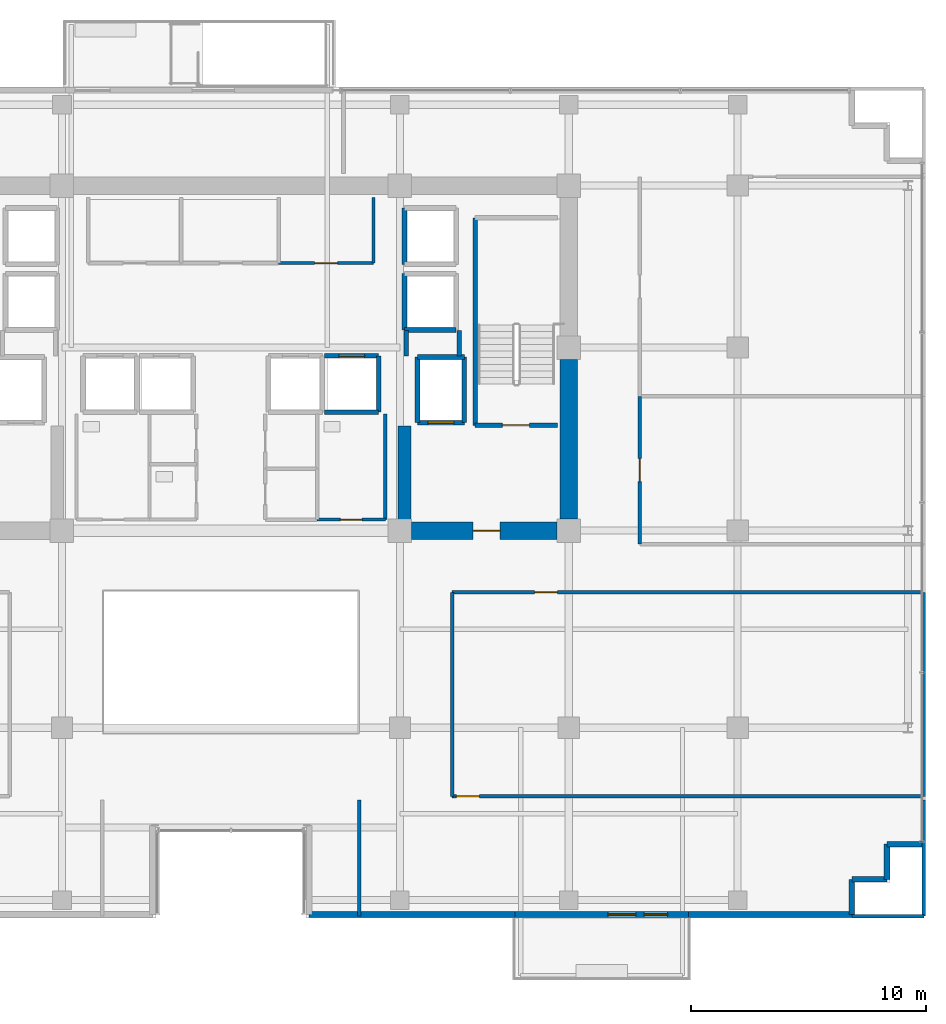
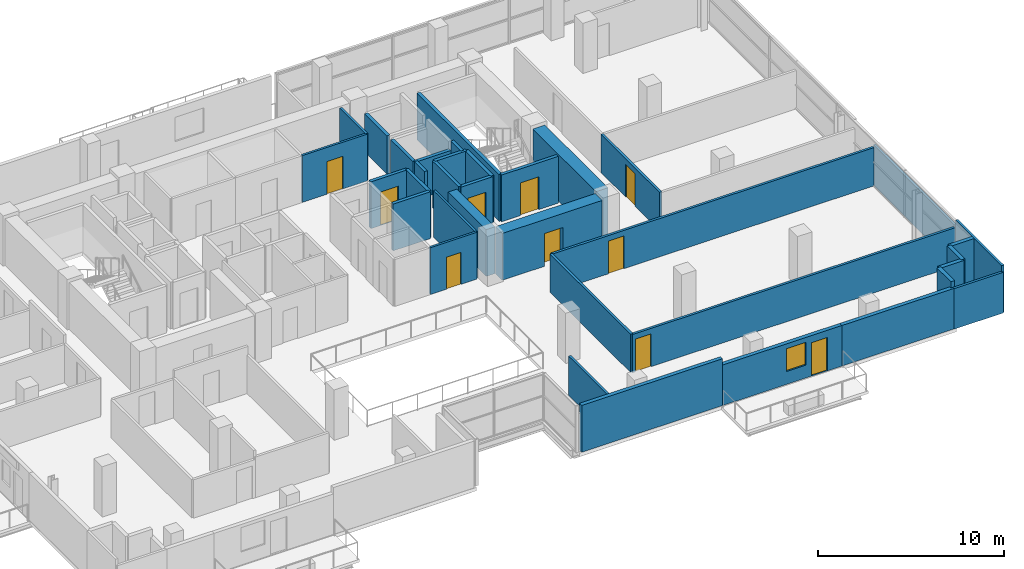
# One storey, part 17 of 23: 36 walls, 10 doors, 1 window, 11 openings.
"""IFC4 building model written with IfcOpenShell, lengths in metres."""

from ifc_helpers import new_model, si_unit, direction, frame, frame_2d, origin, place, context, subcontext, project, spatial, rectangle, extrude, source, transform, mapped, material, layer, layer_set, type_object, element, fill, save


model = new_model("IFC4")

# Units and contexts
model_context = context("Model", 3, precision=1e-05, world=origin(), true_north=direction((0.0, 1.0)))
body_context = subcontext(model_context, "Body", "Model", "MODEL_VIEW")
ifc_project = project(units=[si_unit("LENGTHUNIT", "METRE"), si_unit("AREAUNIT", "SQUARE_METRE"), si_unit("VOLUMEUNIT", "CUBIC_METRE"), si_unit("PLANEANGLEUNIT", "RADIAN"), si_unit("MASSUNIT", "GRAM", prefix="KILO")], contexts=[model_context])

# Site, building, storey
site_placement = place(None, origin())
site = spatial("IfcSite", under=ifc_project, at=site_placement, CompositionType="ELEMENT")
building_placement = place(site_placement, origin())
building = spatial("IfcBuilding", under=site, at=building_placement, Name="Zarnakvel Exchange Tower", CompositionType="ELEMENT")
storey_placement = place(building_placement, frame((0.0, 0.0, 116.5)))
storey = spatial("IfcBuildingStorey", under=building, at=storey_placement, Name="L32", CompositionType="ELEMENT", Elevation=116.5)

# Wall
ifc_material_1 = material(Name="Concrete C60/75", Category="concrete")
ifc_layer_1 = layer(ifc_material_1, 0.75)
ifc_layer_set_1 = layer_set([ifc_layer_1], Name="Concrete C60/75")
wall_type_1 = type_object("IfcWallType", Name="CW-C3", PredefinedType="SHEAR", material=ifc_layer_set_1)
wall_1_placement = place(storey_placement, frame((14.39990234375, -0.699951171875, 0.0), z_axis=(0.0, 0.0, 1.0), x_axis=(0.0, 1.0, 0.0)))
element("IfcWall", 1, at=wall_1_placement, inside=storey, type_object=wall_type_1, Name="L32 Rear Core Shear Wall E1 (CW-C3)", PredefinedType="SHEAR", context=body_context, shape_type="SweptSolid", body=[
    extrude(rectangle(XDim=6.800048828125, YDim=0.75, at=frame_2d((3.39990234375, 0.0))), origin(), (0.0, 0.0, 1.0), 3.074951171875),
])

# Wall, opening, door
wall_2_placement = place(storey_placement, frame((13.89990234375, -1.199951171875, 0.0), z_axis=(0.0, 0.0, 1.0), x_axis=(-1.0, 0.0, 0.0)))
wall_2 = element("IfcWall", 2, at=wall_2_placement, inside=storey, type_object=wall_type_1, Name="L32 Rear Core Shear Wall SE (CW-C3)", PredefinedType="SHEAR", context=body_context, shape_type="SweptSolid", body=[
    extrude(rectangle(XDim=6.199951171875, YDim=0.75, at=frame_2d((3.10009765625, 0.0))), origin(), (0.0, 0.0, 1.0), 3.074951171875),
])
opening_1_placement = place(wall_2_placement, frame((2.425048828125, 0.0, 0.0)))
opening_1 = element("IfcOpeningElement", 3, at=opening_1_placement, cuts=wall_2, Name="Opening D-L32-04", PredefinedType="OPENING", context=body_context, shape_type="SweptSolid", body=[
    extrude(rectangle(XDim=1.14990234375, YDim=2.14990234375, at=frame_2d((0.574951171875, 1.074951171875))), frame((0.0, 0.385009765625, 0.0), z_axis=(0.0, -1.0, 0.0), x_axis=(1.0, 0.0, 0.0)), (0.0, 0.0, 1.0), 0.77001953125),
])
ifc_material_2 = material(Name="Painted Galvanised Steel S355", Category="steel")
door_type_1 = type_object("IfcDoorType", Name="DT-04", OperationType="NOTDEFINED", PredefinedType="DOOR", material=ifc_material_2)
shared_shape_1 = source(origin(), body_context, "Body", "SweptSolid", [
    extrude(rectangle(XDim=1.14990234375, YDim=2.14990234375, at=frame_2d((0.574951171875, 1.074951171875))), frame((0.0, 0.02490234375, 0.0), z_axis=(0.0, -1.0, 0.0), x_axis=(1.0, 0.0, 0.0)), (0.0, 0.0, 1.0), 0.050048828125),
])
door_1_placement = place(opening_1_placement, origin())
door_1 = element("IfcDoor", 4, at=door_1_placement, inside=storey, type_object=door_type_1, Name="L32 Firefighting Lobby East Door D-L32-04", OperationType="SINGLE_SWING_RIGHT", OverallHeight=2.14990234375, OverallWidth=1.14990234375, PredefinedType="DOOR", context=body_context, shape_type="MappedRepresentation", body=[
    mapped(shared_shape_1, transform((0.0, 0.0, 0.0), x_axis=(1.0, 0.0, 0.0), y_axis=(0.0, 1.0, 0.0), z_axis=(0.0, 0.0, 1.0), scale=1.0)),
])
fill(opening_1, door_1)

# Wall
ifc_layer_2 = layer(ifc_material_1, 0.550048828125)
ifc_layer_set_2 = layer_set([ifc_layer_2], Name="Concrete C60/75")
wall_type_2 = type_object("IfcWallType", Name="CW-C4", PredefinedType="SHEAR", material=ifc_layer_set_2)
wall_3_placement = place(storey_placement, frame((7.39990234375, -0.824951171875, 0.0), z_axis=(0.0, 0.0, 1.0), x_axis=(0.0, 1.0, 0.0)))
element("IfcWall", 5, at=wall_3_placement, inside=storey, type_object=wall_type_2, Name="L32 Rear Core Shear Wall IE (CW-C4)", PredefinedType="SHEAR", context=body_context, shape_type="SweptSolid", body=[
    extrude(rectangle(XDim=4.074951171875, YDim=0.550048828125, at=frame_2d((2.03759765625, 0.0))), origin(), (0.0, 0.0, 1.0), 3.074951171875),
])

# Wall, openings, door, window
ifc_material_3 = material(Name="Precast concrete C40/50", Category="concrete")
ifc_layer_3 = layer(ifc_material_3, 0.239990234375)
ifc_layer_set_3 = layer_set([ifc_layer_3], Name="Precast concrete C40/50")
wall_type_3 = type_object("IfcWallType", Name="EW-02", PredefinedType="SOLIDWALL", material=ifc_layer_set_3)
wall_4_placement = place(storey_placement, frame((19.5, -17.56005859375, 0.0), z_axis=(0.0, 0.0, 1.0), x_axis=(-1.0, 0.0, 0.0)))
wall_4 = element("IfcWall", 6, at=wall_4_placement, inside=storey, type_object=wall_type_3, Name="L32 Exterior Precast Spandrel Wall EW-BAL-L32-SE (EW-02)", PredefinedType="SOLIDWALL", context=body_context, shape_type="SweptSolid", body=[
    extrude(rectangle(XDim=7.39990234375, YDim=0.239990234375, at=frame_2d((3.699951171875, 0.0))), origin(), (0.0, 0.0, 1.0), 2.6650390625),
])
opening_2_placement = place(wall_4_placement, frame((0.887939453125, 0.0, 0.0)))
opening_2 = element("IfcOpeningElement", 7, at=opening_2_placement, cuts=wall_4, Name="Opening BD-L32-02", PredefinedType="OPENING", context=body_context, shape_type="SweptSolid", body=[
    extrude(rectangle(XDim=1.0, YDim=2.199951171875, at=frame_2d((0.5, 1.10009765625))), frame((0.0, 0.1298828125, 0.0), z_axis=(0.0, -1.0, 0.0), x_axis=(1.0, 0.0, 0.0)), (0.0, 0.0, 1.0), 0.260009765625),
])
opening_3_placement = place(wall_4_placement, frame((2.238037109375, 0.0, 0.85009765625)))
opening_3 = element("IfcOpeningElement", 8, at=opening_3_placement, cuts=wall_4, Name="Opening WN-04", PredefinedType="OPENING", context=body_context, shape_type="SweptSolid", body=[
    extrude(rectangle(XDim=1.199951171875, YDim=1.5, at=frame_2d((0.60009765625, 0.75))), frame((0.0, 0.1298828125, 0.0), z_axis=(0.0, -1.0, 0.0), x_axis=(1.0, 0.0, 0.0)), (0.0, 0.0, 1.0), 0.260009765625),
])
ifc_material_4 = material(Name="Architectural Bronze Anodised Aluminium", Category="aluminium")
door_type_2 = type_object("IfcDoorType", Name="DT-09", OperationType="NOTDEFINED", PredefinedType="DOOR", material=ifc_material_4)
shared_shape_2 = source(origin(), body_context, "Body", "SweptSolid", [
    extrude(rectangle(XDim=1.0, YDim=2.199951171875, at=frame_2d((0.5, 1.10009765625))), frame((0.0, 0.02490234375, 0.0), z_axis=(0.0, -1.0, 0.0), x_axis=(1.0, 0.0, 0.0)), (0.0, 0.0, 1.0), 0.050048828125),
])
door_2_placement = place(opening_2_placement, origin())
door_2 = element("IfcDoor", 9, at=door_2_placement, inside=storey, type_object=door_type_2, Name="L32 Planted Loggia Balcony Door BD-L32-02", OperationType="SINGLE_SWING_LEFT", OverallHeight=2.199951171875, OverallWidth=1.0, PredefinedType="DOOR", context=body_context, shape_type="MappedRepresentation", body=[
    mapped(shared_shape_2, transform((0.0, 0.0, 0.0), x_axis=(1.0, 0.0, 0.0), y_axis=(0.0, 1.0, 0.0), z_axis=(0.0, 0.0, 1.0), scale=1.0)),
])
fill(opening_2, door_2)
ifc_material_5 = material(Name="Double Low-E Laminated Vision Glass", Category="glass")
window_type = type_object("IfcWindowType", Name="WN-04", PartitioningType="SINGLE_PANEL", PredefinedType="WINDOW", material=ifc_material_5)
shared_shape_3 = source(origin(), body_context, "Body", "SweptSolid", [
    extrude(rectangle(XDim=1.199951171875, YDim=1.5, at=frame_2d((0.60009765625, 0.75))), frame((0.0, 0.030029296875, 0.0), z_axis=(0.0, -1.0, 0.0), x_axis=(1.0, 0.0, 0.0)), (0.0, 0.0, 1.0), 0.06005859375),
])
window_placement = place(opening_3_placement, origin())
window = element("IfcWindow", 10, at=window_placement, inside=storey, type_object=window_type, Name="L32 Loggia Daylight Window (WN-04)", OverallHeight=1.5, OverallWidth=1.199951171875, PartitioningType="SINGLE_PANEL", PredefinedType="WINDOW", context=body_context, shape_type="MappedRepresentation", body=[
    mapped(shared_shape_3, transform((0.0, 0.0, 0.0), x_axis=(1.0, 0.0, 0.0), y_axis=(0.0, 1.0, 0.0), z_axis=(0.0, 0.0, 1.0), scale=1.0)),
])
fill(opening_3, window)

# Walls
for number, where, z_axis, x_axis, name in (
    (11, (27.9599609375, -14.56005859375, 0.0), (0.0, 0.0, 1.0), (1.0, 0.0, 0.0), "L32 Exterior Precast Spandrel Wall EWC-L32-13 (EW-02)"),
    (12, (27.9599609375, -16.06005859375, 0.0), (0.0, 0.0, 1.0), (0.0, 1.0, 0.0), "L32 Exterior Precast Spandrel Wall EWC-L32-14 (EW-02)"),
    (13, (26.4599609375, -16.06005859375, 0.0), (0.0, 0.0, 1.0), (1.0, 0.0, 0.0), "L32 Exterior Precast Spandrel Wall EWC-L32-15 (EW-02)"),
    (14, (26.4599609375, -17.56005859375, 0.0), (0.0, 0.0, 1.0), (0.0, 1.0, 0.0), "L32 Exterior Precast Spandrel Wall EWC-L32-16 (EW-02)"),
):
    element("IfcWall", number, at=place(storey_placement, frame(where, z_axis=z_axis, x_axis=x_axis)), inside=storey, type_object=wall_type_3, Name=name, PredefinedType="SOLIDWALL", context=body_context, shape_type="SweptSolid", body=[
        extrude(rectangle(XDim=1.5, YDim=0.239990234375, at=frame_2d((0.75, 0.0))), origin(), (0.0, 0.0, 1.0), 3.074951171875),
    ])
wall_5_placement = place(storey_placement, frame((19.5, -17.56005859375, 0.0), z_axis=(0.0, 0.0, 1.0), x_axis=(1.0, 0.0, 0.0)))
element("IfcWall", 15, at=wall_5_placement, inside=storey, type_object=wall_type_3, Name="L32 Exterior Precast Spandrel Wall EWC-L32-17 (EW-02)", PredefinedType="SOLIDWALL", context=body_context, shape_type="SweptSolid", body=[
    extrude(rectangle(XDim=6.9599609375, YDim=0.239990234375, at=frame_2d((3.47998046875, 0.0))), origin(), (0.0, 0.0, 1.0), 2.6650390625),
])
wall_6_placement = place(storey_placement, frame((3.340087890625, -17.56005859375, 0.0), z_axis=(0.0, 0.0, 1.0), x_axis=(1.0, 0.0, 0.0)))
element("IfcWall", 16, at=wall_6_placement, inside=storey, type_object=wall_type_3, Name="L32 Exterior Precast Spandrel Wall EWC-L32-18 (EW-02)", PredefinedType="SOLIDWALL", context=body_context, shape_type="SweptSolid", body=[
    extrude(rectangle(XDim=8.760009765625, YDim=0.239990234375, at=frame_2d((4.3798828125, 0.0))), origin(), (0.0, 0.0, 1.0), 3.074951171875),
])

# Wall, opening, door
ifc_material_6 = material(Name="Fire-Rated Gypsum Stud Partition", Category="gypsum")
ifc_layer_4 = layer(ifc_material_6, 0.14990234375)
ifc_layer_set_4 = layer_set([ifc_layer_4], Name="Fire-Rated Gypsum Stud Partition")
wall_type_4 = type_object("IfcWallType", Name="PT-01", PredefinedType="PARTITIONING", material=ifc_layer_set_4)
wall_7_placement = place(storey_placement, frame((29.530029296875, -12.52001953125, 0.0), z_axis=(0.0, 0.0, 1.0), x_axis=(-1.0, 0.0, 0.0)))
wall_7 = element("IfcWall", 17, at=wall_7_placement, inside=storey, type_object=wall_type_4, Name="L32 Partition Wall PWALL-L32-044 (PT-01)", PredefinedType="PARTITIONING", context=body_context, shape_type="SweptSolid", body=[
    extrude(rectangle(XDim=20.10009765625, YDim=0.14990234375, at=frame_2d((10.050048828125, 0.0))), origin(), (0.0, 0.0, 1.0), 2.514892578125),
])
opening_4_placement = place(wall_7_placement, frame((18.93994140625, 0.0, 0.0)))
opening_4 = element("IfcOpeningElement", 18, at=opening_4_placement, cuts=wall_7, Name="Opening D-L32-18", PredefinedType="OPENING", context=body_context, shape_type="SweptSolid", body=[
    extrude(rectangle(XDim=0.97998046875, YDim=2.14990234375, at=frame_2d((0.489990234375, 1.074951171875))), frame((0.0, 0.0849609375, 0.0), z_axis=(0.0, -1.0, 0.0), x_axis=(1.0, 0.0, 0.0)), (0.0, 0.0, 1.0), 0.169921875),
])
ifc_material_7 = material(Name="Timber Acoustic Veneer", Category="wood")
door_type_3 = type_object("IfcDoorType", Name="DT-05", OperationType="NOTDEFINED", PredefinedType="DOOR", material=ifc_material_7)
shared_shape_4 = source(origin(), body_context, "Body", "SweptSolid", [
    extrude(rectangle(XDim=0.97998046875, YDim=2.14990234375, at=frame_2d((0.489990234375, 1.074951171875))), frame((0.0, 0.02490234375, 0.0), z_axis=(0.0, -1.0, 0.0), x_axis=(1.0, 0.0, 0.0)), (0.0, 0.0, 1.0), 0.050048828125),
])
door_3_placement = place(opening_4_placement, origin())
door_3 = element("IfcDoor", 19, at=door_3_placement, inside=storey, type_object=door_type_3, Name="L32 Brokerage Office Door D-L32-18", OperationType="SINGLE_SWING_RIGHT", OverallHeight=2.14990234375, OverallWidth=0.97998046875, PredefinedType="DOOR", context=body_context, shape_type="MappedRepresentation", body=[
    mapped(shared_shape_4, transform((0.0, 0.0, 0.0), x_axis=(1.0, 0.0, 0.0), y_axis=(0.0, 1.0, 0.0), z_axis=(0.0, 0.0, 1.0), scale=1.0)),
])
fill(opening_4, door_3)

wall_8_placement = place(storey_placement, frame((9.429931640625, -3.830078125, 0.0), z_axis=(0.0, 0.0, 1.0), x_axis=(1.0, 0.0, 0.0)))
wall_8 = element("IfcWall", 20, at=wall_8_placement, inside=storey, type_object=wall_type_4, Name="L32 Partition Wall PWALL-L32-045 (PT-01)", PredefinedType="PARTITIONING", context=body_context, shape_type="SweptSolid", body=[
    extrude(rectangle(XDim=20.10009765625, YDim=0.14990234375, at=frame_2d((10.050048828125, 0.0))), origin(), (0.0, 0.0, 1.0), 2.514892578125),
])
opening_5_placement = place(wall_8_placement, frame((3.510009765625, 0.0, 0.0)))
opening_5 = element("IfcOpeningElement", 21, at=opening_5_placement, cuts=wall_8, Name="Opening D-L32-17", PredefinedType="OPENING", context=body_context, shape_type="SweptSolid", body=[
    extrude(rectangle(XDim=0.97998046875, YDim=2.14990234375, at=frame_2d((0.489990234375, 1.074951171875))), frame((0.0, 0.0849609375, 0.0), z_axis=(0.0, -1.0, 0.0), x_axis=(1.0, 0.0, 0.0)), (0.0, 0.0, 1.0), 0.169921875),
])
door_4_placement = place(opening_5_placement, origin())
door_4 = element("IfcDoor", 22, at=door_4_placement, inside=storey, type_object=door_type_3, Name="L32 Seminar Room Door D-L32-17", OperationType="SINGLE_SWING_LEFT", OverallHeight=2.14990234375, OverallWidth=0.97998046875, PredefinedType="DOOR", context=body_context, shape_type="MappedRepresentation", body=[
    mapped(shared_shape_4, transform((0.0, 0.0, 0.0), x_axis=(1.0, 0.0, 0.0), y_axis=(0.0, 1.0, 0.0), z_axis=(0.0, 0.0, 1.0), scale=1.0)),
])
fill(opening_5, door_4)

# Walls
wall_9_placement = place(storey_placement, frame((9.429931640625, -12.52001953125, 0.0), z_axis=(0.0, 0.0, 1.0), x_axis=(0.0, 1.0, 0.0)))
element("IfcWall", 23, at=wall_9_placement, inside=storey, type_object=wall_type_4, Name="L32 Partition Wall PWALL-L32-046 (PT-01)", PredefinedType="PARTITIONING", context=body_context, shape_type="SweptSolid", body=[
    extrude(rectangle(XDim=8.68994140625, YDim=0.14990234375, at=frame_2d((4.344970703125, 0.0))), origin(), (0.0, 0.0, 1.0), 2.514892578125),
])
wall_10_placement = place(storey_placement, frame((29.530029296875, -3.830078125, 0.0), z_axis=(0.0, 0.0, 1.0), x_axis=(0.0, -1.0, 0.0)))
element("IfcWall", 24, at=wall_10_placement, inside=storey, type_object=wall_type_4, Name="L32 Partition Wall PWALL-L32-047 (PT-01)", PredefinedType="PARTITIONING", context=body_context, shape_type="SweptSolid", body=[
    extrude(rectangle(XDim=8.68994140625, YDim=0.14990234375, at=frame_2d((4.344970703125, 0.0))), origin(), (0.0, 0.0, 1.0), 2.6650390625),
])
wall_11_placement = place(storey_placement, frame((29.530029296875, -17.6298828125, 0.0), z_axis=(0.0, 0.0, 1.0), x_axis=(-1.0, 0.0, 0.0)))
element("IfcWall", 25, at=wall_11_placement, inside=storey, type_object=wall_type_4, Name="L32 Partition Wall PWALL-L32-048 (PT-01)", PredefinedType="PARTITIONING", context=body_context, shape_type="SweptSolid", body=[
    extrude(rectangle(XDim=3.070068359375, YDim=0.14990234375, at=frame_2d((1.53515625, 0.0))), origin(), (0.0, 0.0, 1.0), 2.6650390625),
])
wall_12_placement = place(storey_placement, frame((5.47998046875, -17.6298828125, 0.0), z_axis=(0.0, 0.0, 1.0), x_axis=(0.0, 1.0, 0.0)))
element("IfcWall", 26, at=wall_12_placement, inside=storey, type_object=wall_type_4, Name="L32 Partition Wall PWALL-L32-049 (PT-01)", PredefinedType="PARTITIONING", context=body_context, shape_type="SweptSolid", body=[
    extrude(rectangle(XDim=4.949951171875, YDim=0.14990234375, at=frame_2d((2.47509765625, 0.0))), origin(), (0.0, 0.0, 1.0), 2.56494140625),
])
wall_13_placement = place(storey_placement, frame((29.530029296875, -12.679931640625, 0.0), z_axis=(0.0, 0.0, 1.0), x_axis=(0.0, -1.0, 0.0)))
element("IfcWall", 27, at=wall_13_placement, inside=storey, type_object=wall_type_4, Name="L32 Partition Wall PWALL-L32-050 (PT-01)", PredefinedType="PARTITIONING", context=body_context, shape_type="SweptSolid", body=[
    extrude(rectangle(XDim=4.949951171875, YDim=0.14990234375, at=frame_2d((2.47509765625, 0.0))), origin(), (0.0, 0.0, 1.0), 3.074951171875),
])

# Wall, opening, door
wall_14_placement = place(storey_placement, frame((17.429931640625, -1.77001953125, 0.0), z_axis=(0.0, 0.0, 1.0), x_axis=(0.0, 1.0, 0.0)))
wall_14 = element("IfcWall", 28, at=wall_14_placement, inside=storey, type_object=wall_type_4, Name="L32 Partition Wall PWALL-L32-066 (PT-01)", PredefinedType="PARTITIONING", context=body_context, shape_type="SweptSolid", body=[
    extrude(rectangle(XDim=6.2919921875, YDim=0.14990234375, at=frame_2d((3.14599609375, 0.0))), origin(), (0.0, 0.0, 1.0), 2.514892578125),
])
opening_6_placement = place(wall_14_placement, frame((2.656005859375, 0.0, 0.0)))
opening_6 = element("IfcOpeningElement", 29, at=opening_6_placement, cuts=wall_14, Name="Opening D-L32-23", PredefinedType="OPENING", context=body_context, shape_type="SweptSolid", body=[
    extrude(rectangle(XDim=0.97998046875, YDim=2.14990234375, at=frame_2d((0.489990234375, 1.074951171875))), frame((0.0, 0.0849609375, 0.0), z_axis=(0.0, -1.0, 0.0), x_axis=(1.0, 0.0, 0.0)), (0.0, 0.0, 1.0), 0.169921875),
])
door_5_placement = place(opening_6_placement, origin())
door_5 = element("IfcDoor", 30, at=door_5_placement, inside=storey, type_object=door_type_3, Name="L32 Tea Pantry Door D-L32-23", OperationType="SINGLE_SWING_LEFT", OverallHeight=2.14990234375, OverallWidth=0.97998046875, PredefinedType="DOOR", context=body_context, shape_type="MappedRepresentation", body=[
    mapped(shared_shape_4, transform((0.0, 0.0, 0.0), x_axis=(1.0, 0.0, 0.0), y_axis=(0.0, 1.0, 0.0), z_axis=(0.0, 0.0, 1.0), scale=1.0)),
])
fill(opening_6, door_5)

# Walls
ifc_layer_5 = layer(ifc_material_6, 0.179931640625)
ifc_layer_set_5 = layer_set([ifc_layer_5], Name="Fire-Rated Gypsum Stud Partition")
wall_type_5 = type_object("IfcWallType", Name="PT-02", PredefinedType="PARTITIONING", material=ifc_layer_set_5)
wall_15_placement = place(storey_placement, frame((7.469970703125, 6.239990234375, 0.0), z_axis=(0.0, 0.0, 1.0), x_axis=(0.0, 1.0, 0.0)))
element("IfcWall", 31, at=wall_15_placement, inside=storey, type_object=wall_type_5, Name="L32 Partition Wall PWALL-L32-009 (PT-02)", PredefinedType="PARTITIONING", context=body_context, shape_type="SweptSolid", body=[
    extrude(rectangle(XDim=1.090087890625, YDim=0.179931640625, at=frame_2d((0.544921875, 0.0))), origin(), (0.0, 0.0, 1.0), 2.514892578125),
])
wall_16_placement = place(storey_placement, frame((9.72998046875, 7.330078125, 0.0), z_axis=(0.0, 0.0, 1.0), x_axis=(0.0, -1.0, 0.0)))
element("IfcWall", 32, at=wall_16_placement, inside=storey, type_object=wall_type_5, Name="L32 Partition Wall PWALL-L32-010 (PT-02)", PredefinedType="PARTITIONING", context=body_context, shape_type="SweptSolid", body=[
    extrude(rectangle(XDim=1.090087890625, YDim=0.179931640625, at=frame_2d((0.544921875, 0.0))), origin(), (0.0, 0.0, 1.0), 3.074951171875),
])

# Wall, opening, door
ifc_material_8 = material(Name="Moisture-Resistant Tile-Faced Partition", Category="gypsum")
ifc_layer_6 = layer(ifc_material_8, 0.135009765625)
ifc_layer_set_6 = layer_set([ifc_layer_6], Name="Moisture-Resistant Tile-Faced Partition")
wall_type_6 = type_object("IfcWallType", Name="PT-03", PredefinedType="PARTITIONING", material=ifc_layer_set_6)
wall_17_placement = place(storey_placement, frame((6.080078125, 10.199951171875, 0.0), z_axis=(0.0, 0.0, 1.0), x_axis=(-1.0, 0.0, 0.0)))
wall_17 = element("IfcWall", 33, at=wall_17_placement, inside=storey, type_object=wall_type_6, Name="L32 Partition Wall PWALL-L32-016 (PT-03)", PredefinedType="PARTITIONING", context=body_context, shape_type="SweptSolid", body=[
    extrude(rectangle(XDim=4.0400390625, YDim=0.135009765625, at=frame_2d((2.02001953125, 0.0))), origin(), (0.0, 0.0, 1.0), 3.074951171875),
])
opening_7_placement = place(wall_17_placement, frame((1.530029296875, 0.0, 0.0)))
opening_7 = element("IfcOpeningElement", 34, at=opening_7_placement, cuts=wall_17, Name="Opening D-L32-07", PredefinedType="OPENING", context=body_context, shape_type="SweptSolid", body=[
    extrude(rectangle(XDim=0.97998046875, YDim=2.14990234375, at=frame_2d((0.489990234375, 1.074951171875))), frame((0.0, 0.077392578125, 0.0), z_axis=(0.0, -1.0, 0.0), x_axis=(1.0, 0.0, 0.0)), (0.0, 0.0, 1.0), 0.155029296875),
])
door_6_placement = place(opening_7_placement, origin())
door_6 = element("IfcDoor", 35, at=door_6_placement, inside=storey, type_object=door_type_3, Name="L32 Executive Tea Pantry Door D-L32-07", OperationType="SINGLE_SWING_LEFT", OverallHeight=2.14990234375, OverallWidth=0.97998046875, PredefinedType="DOOR", context=body_context, shape_type="MappedRepresentation", body=[
    mapped(shared_shape_4, transform((0.0, 0.0, 0.0), x_axis=(1.0, 0.0, 0.0), y_axis=(0.0, 1.0, 0.0), z_axis=(0.0, 0.0, 1.0), scale=1.0)),
])
fill(opening_7, door_6)

# Wall
wall_18_placement = place(storey_placement, frame((6.080078125, 13.0, 0.0), z_axis=(0.0, 0.0, 1.0), x_axis=(0.0, -1.0, 0.0)))
element("IfcWall", 36, at=wall_18_placement, inside=storey, type_object=wall_type_6, Name="L32 Partition Wall PWALL-L32-017 (PT-03)", PredefinedType="PARTITIONING", context=body_context, shape_type="SweptSolid", body=[
    extrude(rectangle(XDim=2.800048828125, YDim=0.135009765625, at=frame_2d((1.39990234375, 0.0))), origin(), (0.0, 0.0, 1.0), 3.074951171875),
])

# Wall, opening, door
wall_19_placement = place(storey_placement, frame((6.580078125, -0.72998046875, 0.0), z_axis=(0.0, 0.0, 1.0), x_axis=(-1.0, 0.0, 0.0)))
wall_19 = element("IfcWall", 37, at=wall_19_placement, inside=storey, type_object=wall_type_6, Name="L32 Partition Wall PWALL-L32-031 (PT-03)", PredefinedType="PARTITIONING", context=body_context, shape_type="SweptSolid", body=[
    extrude(rectangle(XDim=2.900146484375, YDim=0.135009765625, at=frame_2d((1.4501953125, 0.0))), origin(), (0.0, 0.0, 1.0), 3.074951171875),
])
opening_8_placement = place(wall_19_placement, frame((0.989990234375, 0.0, 0.0)))
opening_8 = element("IfcOpeningElement", 38, at=opening_8_placement, cuts=wall_19, Name="Opening D-L32-13", PredefinedType="OPENING", context=body_context, shape_type="SweptSolid", body=[
    extrude(rectangle(XDim=0.919921875, YDim=2.10009765625, at=frame_2d((0.4599609375, 1.050048828125))), frame((0.0, 0.077392578125, 0.0), z_axis=(0.0, -1.0, 0.0), x_axis=(1.0, 0.0, 0.0)), (0.0, 0.0, 1.0), 0.155029296875),
])
ifc_material_9 = material(Name="Moisture-Resistant Laminate Timber", Category="wood")
door_type_4 = type_object("IfcDoorType", Name="DT-07", OperationType="NOTDEFINED", PredefinedType="DOOR", material=ifc_material_9)
shared_shape_5 = source(origin(), body_context, "Body", "SweptSolid", [
    extrude(rectangle(XDim=0.919921875, YDim=2.10009765625, at=frame_2d((0.4599609375, 1.050048828125))), frame((0.0, 0.02490234375, 0.0), z_axis=(0.0, -1.0, 0.0), x_axis=(1.0, 0.0, 0.0)), (0.0, 0.0, 1.0), 0.050048828125),
])
door_7_placement = place(opening_8_placement, origin())
door_7 = element("IfcDoor", 39, at=door_7_placement, inside=storey, type_object=door_type_4, Name="L32 Female Toilet Door D-L32-13", OperationType="SINGLE_SWING_LEFT", OverallHeight=2.10009765625, OverallWidth=0.919921875, PredefinedType="DOOR", context=body_context, shape_type="MappedRepresentation", body=[
    mapped(shared_shape_5, transform((0.0, 0.0, 0.0), x_axis=(1.0, 0.0, 0.0), y_axis=(0.0, 1.0, 0.0), z_axis=(0.0, 0.0, 1.0), scale=1.0)),
])
fill(opening_8, door_7)

# Wall
wall_20_placement = place(storey_placement, frame((6.580078125, 3.760009765625, 0.0), z_axis=(0.0, 0.0, 1.0), x_axis=(0.0, -1.0, 0.0)))
element("IfcWall", 40, at=wall_20_placement, inside=storey, type_object=wall_type_6, Name="L32 Partition Wall PWALL-L32-032 (PT-03)", PredefinedType="PARTITIONING", context=body_context, shape_type="SweptSolid", body=[
    extrude(rectangle(XDim=4.489990234375, YDim=0.135009765625, at=frame_2d((2.2451171875, 0.0))), origin(), (0.0, 0.0, 1.0), 3.074951171875),
])

# Wall, opening, door
ifc_material_10 = material(Name="Concrete C40/50", Category="concrete")
ifc_layer_7 = layer(ifc_material_10, 0.199951171875)
ifc_layer_set_7 = layer_set([ifc_layer_7], Name="Concrete C40/50")
wall_type_7 = type_object("IfcWallType", Name="SW-01", PredefinedType="SOLIDWALL", material=ifc_layer_set_7)
wall_21_placement = place(storey_placement, frame((9.949951171875, 3.39990234375, 0.0), z_axis=(0.0, 0.0, 1.0), x_axis=(-1.0, 0.0, 0.0)))
wall_21 = element("IfcWall", 41, at=wall_21_placement, inside=storey, type_object=wall_type_7, Name="L32 FL-02 Hoistway Wall South", PredefinedType="SOLIDWALL", context=body_context, shape_type="SweptSolid", body=[
    extrude(rectangle(XDim=2.0, YDim=0.199951171875, at=frame_2d((1.0, 0.0))), origin(), (0.0, 0.0, 1.0), 3.074951171875),
])
opening_9_placement = place(wall_21_placement, frame((0.449951171875, 0.0, 0.0)))
opening_9 = element("IfcOpeningElement", 42, at=opening_9_placement, cuts=wall_21, Name="Opening LD-FL-02-L32", PredefinedType="OPENING", context=body_context, shape_type="SweptSolid", body=[
    extrude(rectangle(XDim=1.10009765625, YDim=2.199951171875, at=frame_2d((0.550048828125, 1.10009765625))), frame((0.0, 0.10986328125, 0.0), z_axis=(0.0, -1.0, 0.0), x_axis=(1.0, 0.0, 0.0)), (0.0, 0.0, 1.0), 0.219970703125),
])
ifc_material_11 = material(Name="Brushed Stainless Steel", Category="steel")
door_type_5 = type_object("IfcDoorType", Name="LDT-01", OperationType="NOTDEFINED", PredefinedType="DOOR", material=ifc_material_11)
shared_shape_6 = source(origin(), body_context, "Body", "SweptSolid", [
    extrude(rectangle(XDim=1.10009765625, YDim=2.199951171875, at=frame_2d((0.550048828125, 1.10009765625))), frame((0.0, 0.02490234375, 0.0), z_axis=(0.0, -1.0, 0.0), x_axis=(1.0, 0.0, 0.0)), (0.0, 0.0, 1.0), 0.050048828125),
])
door_8_placement = place(opening_9_placement, origin())
door_8 = element("IfcDoor", 43, at=door_8_placement, inside=storey, type_object=door_type_5, Name="L32 FL-02 Lift Landing Door LD-FL-02-L32", OperationType="DOUBLE_DOOR_SLIDING", OverallHeight=2.199951171875, OverallWidth=1.10009765625, PredefinedType="DOOR", context=body_context, shape_type="MappedRepresentation", body=[
    mapped(shared_shape_6, transform((0.0, 0.0, 0.0), x_axis=(1.0, 0.0, 0.0), y_axis=(0.0, 1.0, 0.0), z_axis=(0.0, 0.0, 1.0), scale=1.0)),
])
fill(opening_9, door_8)

# Walls
wall_22_placement = place(storey_placement, frame((7.949951171875, 6.199951171875, 0.0), z_axis=(0.0, 0.0, 1.0), x_axis=(1.0, 0.0, 0.0)))
element("IfcWall", 44, at=wall_22_placement, inside=storey, type_object=wall_type_7, Name="L32 FL-02 Hoistway Wall North", PredefinedType="SOLIDWALL", context=body_context, shape_type="SweptSolid", body=[
    extrude(rectangle(XDim=2.0, YDim=0.199951171875, at=frame_2d((1.0, 0.0))), origin(), (0.0, 0.0, 1.0), 3.074951171875),
])
for number, where, z_axis, x_axis, name in (
    (45, (7.949951171875, 3.39990234375, 0.0), (0.0, 0.0, 1.0), (0.0, 1.0, 0.0), "L32 FL-02 Hoistway Wall West"),
    (46, (9.949951171875, 6.199951171875, 0.0), (0.0, 0.0, 1.0), (0.0, -1.0, 0.0), "L32 FL-02 Hoistway Wall East"),
):
    element("IfcWall", number, at=place(storey_placement, frame(where, z_axis=z_axis, x_axis=x_axis)), inside=storey, type_object=wall_type_7, Name=name, PredefinedType="SOLIDWALL", context=body_context, shape_type="SweptSolid", body=[
        extrude(rectangle(XDim=2.800048828125, YDim=0.199951171875, at=frame_2d((1.39990234375, 0.0))), origin(), (0.0, 0.0, 1.0), 3.074951171875),
    ])
wall_23_placement = place(storey_placement, frame((6.300048828125, 3.85009765625, 0.0), z_axis=(0.0, 0.0, 1.0), x_axis=(-1.0, 0.0, 0.0)))
element("IfcWall", 47, at=wall_23_placement, inside=storey, type_object=wall_type_7, Name="L32 PL-08 Hoistway Wall South", PredefinedType="SOLIDWALL", context=body_context, shape_type="SweptSolid", body=[
    extrude(rectangle(XDim=2.300048828125, YDim=0.199951171875, at=frame_2d((1.14990234375, 0.0))), origin(), (0.0, 0.0, 1.0), 3.074951171875),
])

# Wall, opening, door
wall_24_placement = place(storey_placement, frame((4.0, 6.25, 0.0), z_axis=(0.0, 0.0, 1.0), x_axis=(1.0, 0.0, 0.0)))
wall_24 = element("IfcWall", 48, at=wall_24_placement, inside=storey, type_object=wall_type_7, Name="L32 PL-08 Hoistway Wall North", PredefinedType="SOLIDWALL", context=body_context, shape_type="SweptSolid", body=[
    extrude(rectangle(XDim=2.300048828125, YDim=0.199951171875, at=frame_2d((1.14990234375, 0.0))), origin(), (0.0, 0.0, 1.0), 3.074951171875),
])
opening_10_placement = place(wall_24_placement, frame((0.60009765625, 0.0, 0.0)))
opening_10 = element("IfcOpeningElement", 49, at=opening_10_placement, cuts=wall_24, Name="Opening LD-PL-08-L32", PredefinedType="OPENING", context=body_context, shape_type="SweptSolid", body=[
    extrude(rectangle(XDim=1.10009765625, YDim=2.199951171875, at=frame_2d((0.550048828125, 1.10009765625))), frame((0.0, 0.10986328125, 0.0), z_axis=(0.0, -1.0, 0.0), x_axis=(1.0, 0.0, 0.0)), (0.0, 0.0, 1.0), 0.219970703125),
])
door_type_6 = type_object("IfcDoorType", Name="LDT-02", OperationType="NOTDEFINED", PredefinedType="DOOR", material=ifc_material_4)
door_9_placement = place(opening_10_placement, origin())
door_9 = element("IfcDoor", 50, at=door_9_placement, inside=storey, type_object=door_type_6, Name="L32 PL-08 Lift Landing Door LD-PL-08-L32", OperationType="DOUBLE_DOOR_SLIDING", OverallHeight=2.199951171875, OverallWidth=1.10009765625, PredefinedType="DOOR", context=body_context, shape_type="MappedRepresentation", body=[
    mapped(shared_shape_6, transform((0.0, 0.0, 0.0), x_axis=(1.0, 0.0, 0.0), y_axis=(0.0, 1.0, 0.0), z_axis=(0.0, 0.0, 1.0), scale=1.0)),
])
fill(opening_10, door_9)

# Walls
wall_25_placement = place(storey_placement, frame((6.300048828125, 6.25, 0.0), z_axis=(0.0, 0.0, 1.0), x_axis=(0.0, -1.0, 0.0)))
element("IfcWall", 51, at=wall_25_placement, inside=storey, type_object=wall_type_7, Name="L32 PL-08 Hoistway Wall East", PredefinedType="SOLIDWALL", context=body_context, shape_type="SweptSolid", body=[
    extrude(rectangle(XDim=2.39990234375, YDim=0.199951171875, at=frame_2d((1.199951171875, 0.0))), origin(), (0.0, 0.0, 1.0), 3.074951171875),
])
wall_26_placement = place(storey_placement, frame((9.60009765625, 7.35009765625, 0.0), z_axis=(0.0, 0.0, 1.0), x_axis=(-1.0, 0.0, 0.0)))
element("IfcWall", 52, at=wall_26_placement, inside=storey, type_object=wall_type_7, Name="L32 PL-11 Hoistway Wall South", PredefinedType="SOLIDWALL", context=body_context, shape_type="SweptSolid", body=[
    extrude(rectangle(XDim=2.2001953125, YDim=0.199951171875, at=frame_2d((1.10009765625, 0.0))), origin(), (0.0, 0.0, 1.0), 2.514892578125),
])
wall_27_placement = place(storey_placement, frame((7.39990234375, 7.35009765625, 0.0), z_axis=(0.0, 0.0, 1.0), x_axis=(0.0, 1.0, 0.0)))
element("IfcWall", 53, at=wall_27_placement, inside=storey, type_object=wall_type_7, Name="L32 PL-11 Hoistway Wall West", PredefinedType="SOLIDWALL", context=body_context, shape_type="SweptSolid", body=[
    extrude(rectangle(XDim=2.39990234375, YDim=0.199951171875, at=frame_2d((1.199951171875, 0.0))), origin(), (0.0, 0.0, 1.0), 2.514892578125),
])
wall_28_placement = place(storey_placement, frame((7.39990234375, 10.14990234375, 0.0), z_axis=(0.0, 0.0, 1.0), x_axis=(0.0, 1.0, 0.0)))
element("IfcWall", 54, at=wall_28_placement, inside=storey, type_object=wall_type_7, Name="L32 PL-12 Hoistway Wall West", PredefinedType="SOLIDWALL", context=body_context, shape_type="SweptSolid", body=[
    extrude(rectangle(XDim=2.400146484375, YDim=0.199951171875, at=frame_2d((1.2001953125, 0.0))), origin(), (0.0, 0.0, 1.0), 2.514892578125),
])

# Wall, opening, door
ifc_layer_8 = layer(ifc_material_10, 0.199951171875)
ifc_layer_set_8 = layer_set([ifc_layer_8], Name="Concrete C40/50")
wall_type_8 = type_object("IfcWallType", Name="SW-02", PredefinedType="SOLIDWALL", material=ifc_layer_set_8)
wall_29_placement = place(storey_placement, frame((13.929931640625, 3.2900390625, 0.0), z_axis=(0.0, 0.0, 1.0), x_axis=(-1.0, 0.0, 0.0)))
wall_29 = element("IfcWall", 55, at=wall_29_placement, inside=storey, type_object=wall_type_8, Name="L32 Stairwell Core Wall PWALL-L32-004 (SW-02)", PredefinedType="SOLIDWALL", context=body_context, shape_type="SweptSolid", body=[
    extrude(rectangle(XDim=3.52001953125, YDim=0.199951171875, at=frame_2d((1.760009765625, 0.0))), origin(), (0.0, 0.0, 1.0), 3.074951171875),
])
opening_11_placement = place(wall_29_placement, frame((1.205078125, 0.0, 0.0)))
opening_11 = element("IfcOpeningElement", 56, at=opening_11_placement, cuts=wall_29, Name="Opening D-L32-02", PredefinedType="OPENING", context=body_context, shape_type="SweptSolid", body=[
    extrude(rectangle(XDim=1.14990234375, YDim=2.14990234375, at=frame_2d((0.574951171875, 1.074951171875))), frame((0.0, 0.10986328125, 0.0), z_axis=(0.0, -1.0, 0.0), x_axis=(1.0, 0.0, 0.0)), (0.0, 0.0, 1.0), 0.219970703125),
])
door_10_placement = place(opening_11_placement, origin())
door_10 = element("IfcDoor", 57, at=door_10_placement, inside=storey, type_object=door_type_1, Name="L32 Stairwell ST-02 Door D-L32-02", OperationType="SINGLE_SWING_RIGHT", OverallHeight=2.14990234375, OverallWidth=1.14990234375, PredefinedType="DOOR", context=body_context, shape_type="MappedRepresentation", body=[
    mapped(shared_shape_1, transform((0.0, 0.0, 0.0), x_axis=(1.0, 0.0, 0.0), y_axis=(0.0, 1.0, 0.0), z_axis=(0.0, 0.0, 1.0), scale=1.0)),
])
fill(opening_11, door_10)

# Wall
wall_30_placement = place(storey_placement, frame((10.409912109375, 3.2900390625, 0.0), z_axis=(0.0, 0.0, 1.0), x_axis=(0.0, 1.0, 0.0)))
element("IfcWall", 58, at=wall_30_placement, inside=storey, type_object=wall_type_8, Name="L32 Stairwell Core Wall PWALL-L32-006 (SW-02)", PredefinedType="SOLIDWALL", context=body_context, shape_type="SweptSolid", body=[
    extrude(rectangle(XDim=8.83984375, YDim=0.199951171875, at=frame_2d((4.419921875, 0.0))), origin(), (0.0, 0.0, 1.0), 3.074951171875),
])

save(model, "model.ifc")
